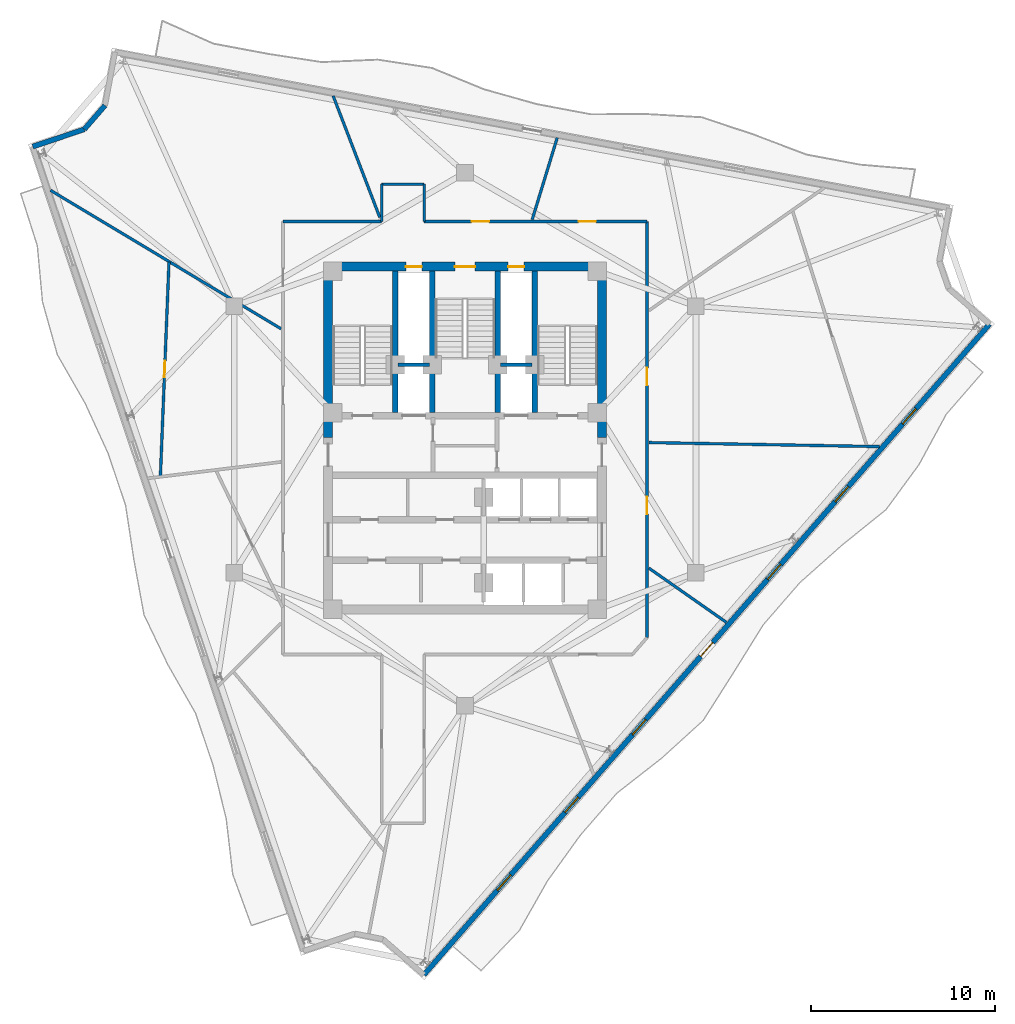
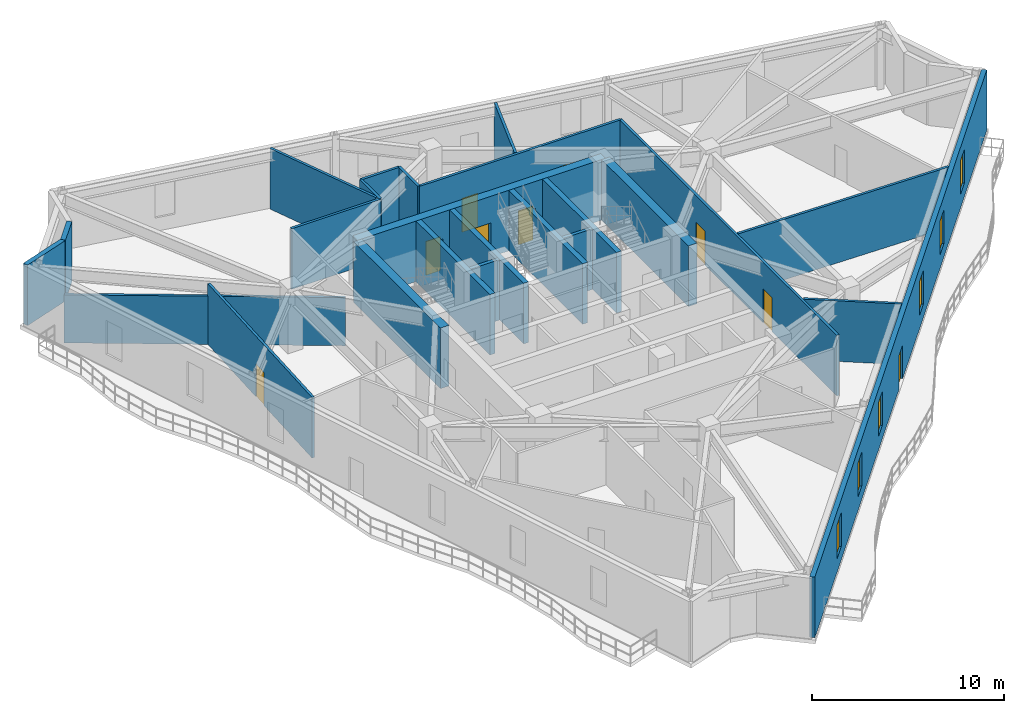
# One storey, part 6 of 10: 24 walls, 9 doors, 6 windows, 15 openings.
"""IFC4 building model written with IfcOpenShell, lengths in metres."""

from ifc_helpers import new_model, si_unit, direction, frame, frame_2d, origin, place, context, subcontext, project, spatial, rectangle, extrude, material, layer, layer_set, type_object, element, fill, save


model = new_model("IFC4")

# Units and contexts
model_context = context("Model", 3, precision=1e-05, world=origin(), true_north=direction((0.0, 1.0)))
body_context = subcontext(model_context, "Body", "Model", "MODEL_VIEW")
ifc_project = project(units=[si_unit("LENGTHUNIT", "METRE"), si_unit("AREAUNIT", "SQUARE_METRE"), si_unit("VOLUMEUNIT", "CUBIC_METRE"), si_unit("PLANEANGLEUNIT", "RADIAN"), si_unit("MASSUNIT", "GRAM", prefix="KILO")], contexts=[model_context])

# Site, building, storey
site_placement = place(None, origin())
site = spatial("IfcSite", under=ifc_project, at=site_placement, CompositionType="ELEMENT")
building_placement = place(site_placement, origin())
building = spatial("IfcBuilding", under=site, at=building_placement, Name="Apsidion Concourse Tower", CompositionType="ELEMENT")
storey_placement = place(building_placement, frame((0.0, 0.0, 265.5)))
storey = spatial("IfcBuildingStorey", under=building, at=storey_placement, Name="L62", CompositionType="ELEMENT", Elevation=265.5)

# Wall, openings, door, windows
ifc_material_1 = material(Name="Precast concrete C40/50", Category="concrete")
ifc_layer_1 = layer(ifc_material_1, 0.280029296875)
ifc_layer_set_1 = layer_set([ifc_layer_1], Name="Precast concrete C40/50")
wall_type_1 = type_object("IfcWallType", Name="WL-EXT-280", PredefinedType="STANDARD", material=ifc_layer_set_1)
wall_1_placement = place(storey_placement, frame((28.531494140625, 6.267578125, 0.0), z_axis=(0.0, 0.0, 1.0), x_axis=(-0.656055748756, -0.754712431674, 0.0)))
wall_1 = element("IfcWall", 1, at=wall_1_placement, inside=storey, type_object=wall_type_1, Name="L62 Precast Stone Facade Wall 05", PredefinedType="STANDARD", context=body_context, shape_type="SweptSolid", body=[
    extrude(rectangle(XDim=46.89697265625, YDim=0.280029296875, at=frame_2d((23.448486328125, 0.0))), origin(), (0.0, 0.0, 1.0), 3.85009765625),
])
opening_1_placement = place(wall_1_placement, frame((22.948486328125, 0.0, 0.0)))
opening_1 = element("IfcOpeningElement", 2, at=opening_1_placement, cuts=wall_1, Name="Opening D-T1R", PredefinedType="OPENING", context=body_context, shape_type="SweptSolid", body=[
    extrude(rectangle(XDim=1.0, YDim=2.14990234375, at=frame_2d((0.5, 1.074951171875))), frame((0.0, 0.14990234375, 0.0), z_axis=(0.0, -1.0, 0.0), x_axis=(1.0, 0.0, 0.0)), (0.0, 0.0, 1.0), 0.300048828125),
])
opening_2_placement = place(wall_1_placement, frame((6.0986328125, 0.0, 0.85009765625)))
opening_2 = element("IfcOpeningElement", 3, at=opening_2_placement, cuts=wall_1, Name="Opening WN-07", PredefinedType="OPENING", context=body_context, shape_type="SweptSolid", body=[
    extrude(rectangle(XDim=1.10009765625, YDim=2.14990234375, at=frame_2d((0.550048828125, 1.074951171875))), frame((0.0, 0.14990234375, 0.0), z_axis=(0.0, -1.0, 0.0), x_axis=(1.0, 0.0, 0.0)), (0.0, 0.0, 1.0), 0.300048828125),
])
opening_3_placement = place(wall_1_placement, frame((11.698486328125, 0.0, 0.85009765625)))
opening_3 = element("IfcOpeningElement", 4, at=opening_3_placement, cuts=wall_1, Name="Opening WN-07", PredefinedType="OPENING", context=body_context, shape_type="SweptSolid", body=[
    extrude(rectangle(XDim=1.10009765625, YDim=2.14990234375, at=frame_2d((0.550048828125, 1.074951171875))), frame((0.0, 0.14990234375, 0.0), z_axis=(0.0, -1.0, 0.0), x_axis=(1.0, 0.0, 0.0)), (0.0, 0.0, 1.0), 0.300048828125),
])
opening_4_placement = place(wall_1_placement, frame((17.298583984375, 0.0, 0.85009765625)))
opening_4 = element("IfcOpeningElement", 5, at=opening_4_placement, cuts=wall_1, Name="Opening WN-07", PredefinedType="OPENING", context=body_context, shape_type="SweptSolid", body=[
    extrude(rectangle(XDim=1.10009765625, YDim=2.14990234375, at=frame_2d((0.550048828125, 1.074951171875))), frame((0.0, 0.14990234375, 0.0), z_axis=(0.0, -1.0, 0.0), x_axis=(1.0, 0.0, 0.0)), (0.0, 0.0, 1.0), 0.300048828125),
])
opening_5_placement = place(wall_1_placement, frame((28.49853515625, 0.0, 0.85009765625)))
opening_5 = element("IfcOpeningElement", 6, at=opening_5_placement, cuts=wall_1, Name="Opening WN-07", PredefinedType="OPENING", context=body_context, shape_type="SweptSolid", body=[
    extrude(rectangle(XDim=1.10009765625, YDim=2.14990234375, at=frame_2d((0.550048828125, 1.074951171875))), frame((0.0, 0.14990234375, 0.0), z_axis=(0.0, -1.0, 0.0), x_axis=(1.0, 0.0, 0.0)), (0.0, 0.0, 1.0), 0.300048828125),
])
opening_6_placement = place(wall_1_placement, frame((34.0986328125, 0.0, 0.85009765625)))
opening_6 = element("IfcOpeningElement", 7, at=opening_6_placement, cuts=wall_1, Name="Opening WN-07", PredefinedType="OPENING", context=body_context, shape_type="SweptSolid", body=[
    extrude(rectangle(XDim=1.10009765625, YDim=2.14990234375, at=frame_2d((0.550048828125, 1.074951171875))), frame((0.0, 0.14990234375, 0.0), z_axis=(0.0, -1.0, 0.0), x_axis=(1.0, 0.0, 0.0)), (0.0, 0.0, 1.0), 0.300048828125),
])
opening_7_placement = place(wall_1_placement, frame((39.698486328125, 0.0, 0.85009765625)))
opening_7 = element("IfcOpeningElement", 8, at=opening_7_placement, cuts=wall_1, Name="Opening WN-07", PredefinedType="OPENING", context=body_context, shape_type="SweptSolid", body=[
    extrude(rectangle(XDim=1.10009765625, YDim=2.14990234375, at=frame_2d((0.550048828125, 1.074951171875))), frame((0.0, 0.14990234375, 0.0), z_axis=(0.0, -1.0, 0.0), x_axis=(1.0, 0.0, 0.0)), (0.0, 0.0, 1.0), 0.300048828125),
])
ifc_material_2 = material(Name="Anodised aluminium EN AW-6063 T6", Category="aluminium")
door_type_1 = type_object("IfcDoorType", Name="DR-TER-1022R", OperationType="SINGLE_SWING_RIGHT", PredefinedType="DOOR", material=ifc_material_2)
door_1_placement = place(opening_1_placement, origin())
door_1 = element("IfcDoor", 9, at=door_1_placement, inside=storey, type_object=door_type_1, Name="L62 Balcony Access Door 2", OperationType="SINGLE_SWING_RIGHT", OverallHeight=2.14990234375, OverallWidth=1.0, PredefinedType="DOOR", context=body_context, shape_type="SweptSolid", body=[
    extrude(rectangle(XDim=1.0, YDim=2.14990234375, at=frame_2d((0.5, 1.074951171875))), frame((0.0, 0.02490234375, 0.0), z_axis=(0.0, -1.0, 0.0), x_axis=(1.0, 0.0, 0.0)), (0.0, 0.0, 1.0), 0.050048828125),
])
fill(opening_1, door_1)
ifc_material_3 = material(Name="Insulated laminated low-E glass", Category="glass")
window_type = type_object("IfcWindowType", Name="WN-OFF-1123", PartitioningType="SINGLE_PANEL", PredefinedType="WINDOW", material=ifc_material_3)
window_1_placement = place(opening_2_placement, origin())
window_1 = element("IfcWindow", 10, at=window_1_placement, inside=storey, type_object=window_type, Name="L62 Punched Facade Window 5-01", OverallHeight=2.14990234375, OverallWidth=1.10009765625, PartitioningType="SINGLE_PANEL", PredefinedType="WINDOW", context=body_context, shape_type="SweptSolid", body=[
    extrude(rectangle(XDim=1.10009765625, YDim=2.14990234375, at=frame_2d((0.550048828125, 1.074951171875))), frame((0.0, 0.030029296875, 0.0), z_axis=(0.0, -1.0, 0.0), x_axis=(1.0, 0.0, 0.0)), (0.0, 0.0, 1.0), 0.06005859375),
])
fill(opening_2, window_1)
window_2_placement = place(opening_3_placement, origin())
window_2 = element("IfcWindow", 11, at=window_2_placement, inside=storey, type_object=window_type, Name="L62 Punched Facade Window 5-02", OverallHeight=2.14990234375, OverallWidth=1.10009765625, PartitioningType="SINGLE_PANEL", PredefinedType="WINDOW", context=body_context, shape_type="SweptSolid", body=[
    extrude(rectangle(XDim=1.10009765625, YDim=2.14990234375, at=frame_2d((0.550048828125, 1.074951171875))), frame((0.0, 0.030029296875, 0.0), z_axis=(0.0, -1.0, 0.0), x_axis=(1.0, 0.0, 0.0)), (0.0, 0.0, 1.0), 0.06005859375),
])
fill(opening_3, window_2)
window_3_placement = place(opening_4_placement, origin())
window_3 = element("IfcWindow", 12, at=window_3_placement, inside=storey, type_object=window_type, Name="L62 Punched Facade Window 5-03", OverallHeight=2.14990234375, OverallWidth=1.10009765625, PartitioningType="SINGLE_PANEL", PredefinedType="WINDOW", context=body_context, shape_type="SweptSolid", body=[
    extrude(rectangle(XDim=1.10009765625, YDim=2.14990234375, at=frame_2d((0.550048828125, 1.074951171875))), frame((0.0, 0.030029296875, 0.0), z_axis=(0.0, -1.0, 0.0), x_axis=(1.0, 0.0, 0.0)), (0.0, 0.0, 1.0), 0.06005859375),
])
fill(opening_4, window_3)
window_4_placement = place(opening_5_placement, origin())
window_4 = element("IfcWindow", 13, at=window_4_placement, inside=storey, type_object=window_type, Name="L62 Punched Facade Window 5-05", OverallHeight=2.14990234375, OverallWidth=1.10009765625, PartitioningType="SINGLE_PANEL", PredefinedType="WINDOW", context=body_context, shape_type="SweptSolid", body=[
    extrude(rectangle(XDim=1.10009765625, YDim=2.14990234375, at=frame_2d((0.550048828125, 1.074951171875))), frame((0.0, 0.030029296875, 0.0), z_axis=(0.0, -1.0, 0.0), x_axis=(1.0, 0.0, 0.0)), (0.0, 0.0, 1.0), 0.06005859375),
])
fill(opening_5, window_4)
window_5_placement = place(opening_6_placement, origin())
window_5 = element("IfcWindow", 14, at=window_5_placement, inside=storey, type_object=window_type, Name="L62 Punched Facade Window 5-06", OverallHeight=2.14990234375, OverallWidth=1.10009765625, PartitioningType="SINGLE_PANEL", PredefinedType="WINDOW", context=body_context, shape_type="SweptSolid", body=[
    extrude(rectangle(XDim=1.10009765625, YDim=2.14990234375, at=frame_2d((0.550048828125, 1.074951171875))), frame((0.0, 0.030029296875, 0.0), z_axis=(0.0, -1.0, 0.0), x_axis=(1.0, 0.0, 0.0)), (0.0, 0.0, 1.0), 0.06005859375),
])
fill(opening_6, window_5)
window_6_placement = place(opening_7_placement, origin())
window_6 = element("IfcWindow", 15, at=window_6_placement, inside=storey, type_object=window_type, Name="L62 Punched Facade Window 5-07", OverallHeight=2.14990234375, OverallWidth=1.10009765625, PartitioningType="SINGLE_PANEL", PredefinedType="WINDOW", context=body_context, shape_type="SweptSolid", body=[
    extrude(rectangle(XDim=1.10009765625, YDim=2.14990234375, at=frame_2d((0.550048828125, 1.074951171875))), frame((0.0, 0.030029296875, 0.0), z_axis=(0.0, -1.0, 0.0), x_axis=(1.0, 0.0, 0.0)), (0.0, 0.0, 1.0), 0.06005859375),
])
fill(opening_7, window_6)

# Walls
wall_2_placement = place(storey_placement, frame((-23.511474609375, 15.92431640625, 0.0), z_axis=(0.0, 0.0, 1.0), x_axis=(0.9478040536, 0.31885337693, 0.0)))
element("IfcWall", 16, at=wall_2_placement, inside=storey, type_object=wall_type_1, Name="L62 Precast Stone Facade Wall 10", PredefinedType="STANDARD", context=body_context, shape_type="SweptSolid", body=[
    extrude(rectangle(XDim=2.95556640625, YDim=0.280029296875, at=frame_2d((1.477783203125, 0.0))), origin(), (0.0, 0.0, 1.0), 3.85009765625),
])
wall_3_placement = place(storey_placement, frame((-20.710205078125, 16.86669921875, 0.0), z_axis=(0.0, 0.0, 1.0), x_axis=(0.656062411204, 0.754706640096, 0.0)))
element("IfcWall", 17, at=wall_3_placement, inside=storey, type_object=wall_type_1, Name="L62 Precast Stone Facade Wall 11", PredefinedType="STANDARD", context=body_context, shape_type="SweptSolid", body=[
    extrude(rectangle(XDim=1.715087890625, YDim=0.280029296875, at=frame_2d((0.857421875, 0.0))), origin(), (0.0, 0.0, 1.0), 3.85009765625),
])
ifc_material_4 = material(Name="Gypsum plasterboard partition")
ifc_layer_2 = layer(ifc_material_4, 0.14990234375)
ifc_layer_set_2 = layer_set([ifc_layer_2], Name="Gypsum plasterboard partition")
wall_type_2 = type_object("IfcWallType", Name="WL-INT-PAR-150", PredefinedType="PARTITIONING", material=ifc_layer_set_2)
wall_4_placement = place(storey_placement, frame((-9.89990234375, 11.85009765625, 0.0), z_axis=(0.0, 0.0, 1.0), x_axis=(1.0, 0.0, 0.0)))
element("IfcWall", 18, at=wall_4_placement, inside=storey, type_object=wall_type_2, Name="L62 Interior Partition WL-L62-CORR-03", PredefinedType="PARTITIONING", context=body_context, shape_type="SweptSolid", body=[
    extrude(rectangle(XDim=5.369873046875, YDim=0.14990234375, at=frame_2d((2.68505859375, 0.0))), origin(), (0.0, 0.0, 1.0), 3.85009765625),
])
wall_5_placement = place(storey_placement, frame((-4.530029296875, 11.85009765625, 0.0), z_axis=(0.0, 0.0, 1.0), x_axis=(0.0, 1.0, 0.0)))
element("IfcWall", 19, at=wall_5_placement, inside=storey, type_object=wall_type_2, Name="L62 Interior Partition WL-L62-CORR-04", PredefinedType="PARTITIONING", context=body_context, shape_type="SweptSolid", body=[
    extrude(rectangle(XDim=2.02978515625, YDim=0.14990234375, at=frame_2d((1.014892578125, 0.0))), origin(), (0.0, 0.0, 1.0), 3.85009765625),
])
wall_6_placement = place(storey_placement, frame((-4.530029296875, 13.8798828125, 0.0), z_axis=(0.0, 0.0, 1.0), x_axis=(1.0, 0.0, 0.0)))
element("IfcWall", 20, at=wall_6_placement, inside=storey, type_object=wall_type_2, Name="L62 Interior Partition WL-L62-CORR-05", PredefinedType="PARTITIONING", context=body_context, shape_type="SweptSolid", body=[
    extrude(rectangle(XDim=2.31005859375, YDim=0.14990234375, at=frame_2d((1.155029296875, 0.0))), origin(), (0.0, 0.0, 1.0), 3.85009765625),
])
wall_7_placement = place(storey_placement, frame((-2.219970703125, 13.8798828125, 0.0), z_axis=(0.0, 0.0, 1.0), x_axis=(0.0, -1.0, 0.0)))
element("IfcWall", 21, at=wall_7_placement, inside=storey, type_object=wall_type_2, Name="L62 Interior Partition WL-L62-CORR-06", PredefinedType="PARTITIONING", context=body_context, shape_type="SweptSolid", body=[
    extrude(rectangle(XDim=2.02978515625, YDim=0.14990234375, at=frame_2d((1.014892578125, 0.0))), origin(), (0.0, 0.0, 1.0), 3.85009765625),
])

# Wall, openings, doors
wall_8_placement = place(storey_placement, frame((-2.219970703125, 11.85009765625, 0.0), z_axis=(0.0, 0.0, 1.0), x_axis=(1.0, 0.0, 0.0)))
wall_8 = element("IfcWall", 22, at=wall_8_placement, inside=storey, type_object=wall_type_2, Name="L62 Interior Partition WL-L62-CORR-07", PredefinedType="PARTITIONING", context=body_context, shape_type="SweptSolid", body=[
    extrude(rectangle(XDim=12.119873046875, YDim=0.14990234375, at=frame_2d((6.06005859375, 0.0))), origin(), (0.0, 0.0, 1.0), 3.85009765625),
])
opening_8_placement = place(wall_8_placement, frame((8.393310546875, 0.0, 0.0)))
opening_8 = element("IfcOpeningElement", 23, at=opening_8_placement, cuts=wall_8, Name="Opening D-01L", PredefinedType="OPENING", context=body_context, shape_type="SweptSolid", body=[
    extrude(rectangle(XDim=0.949951171875, YDim=2.14990234375, at=frame_2d((0.47509765625, 1.074951171875))), frame((0.0, 0.0849609375, 0.0), z_axis=(0.0, -1.0, 0.0), x_axis=(1.0, 0.0, 0.0)), (0.0, 0.0, 1.0), 0.169921875),
])
opening_9_placement = place(wall_8_placement, frame((2.585205078125, 0.0, 0.0)))
opening_9 = element("IfcOpeningElement", 24, at=opening_9_placement, cuts=wall_8, Name="Opening D-01R", PredefinedType="OPENING", context=body_context, shape_type="SweptSolid", body=[
    extrude(rectangle(XDim=0.949951171875, YDim=2.14990234375, at=frame_2d((0.47509765625, 1.074951171875))), frame((0.0, 0.0849609375, 0.0), z_axis=(0.0, -1.0, 0.0), x_axis=(1.0, 0.0, 0.0)), (0.0, 0.0, 1.0), 0.169921875),
])
ifc_material_5 = material(Name="Brushed stainless steel 316", Category="steel")
door_type_2 = type_object("IfcDoorType", Name="DR-INT-D01L", OperationType="SINGLE_SWING_LEFT", PredefinedType="DOOR", material=ifc_material_5)
door_2_placement = place(opening_8_placement, origin())
door_2 = element("IfcDoor", 25, at=door_2_placement, inside=storey, type_object=door_type_2, Name="L62 Corridor Entry Door 07", OperationType="SINGLE_SWING_LEFT", OverallHeight=2.14990234375, OverallWidth=0.949951171875, PredefinedType="DOOR", context=body_context, shape_type="SweptSolid", body=[
    extrude(rectangle(XDim=0.949951171875, YDim=2.14990234375, at=frame_2d((0.47509765625, 1.074951171875))), frame((0.0, 0.02490234375, 0.0), z_axis=(0.0, -1.0, 0.0), x_axis=(1.0, 0.0, 0.0)), (0.0, 0.0, 1.0), 0.050048828125),
])
fill(opening_8, door_2)
door_type_3 = type_object("IfcDoorType", Name="DR-INT-D01R", OperationType="SINGLE_SWING_RIGHT", PredefinedType="DOOR", material=ifc_material_5)
door_3_placement = place(opening_9_placement, origin())
door_3 = element("IfcDoor", 26, at=door_3_placement, inside=storey, type_object=door_type_3, Name="L62 Corridor Entry Door 08", OperationType="SINGLE_SWING_RIGHT", OverallHeight=2.14990234375, OverallWidth=0.949951171875, PredefinedType="DOOR", context=body_context, shape_type="SweptSolid", body=[
    extrude(rectangle(XDim=0.949951171875, YDim=2.14990234375, at=frame_2d((0.47509765625, 1.074951171875))), frame((0.0, 0.02490234375, 0.0), z_axis=(0.0, -1.0, 0.0), x_axis=(1.0, 0.0, 0.0)), (0.0, 0.0, 1.0), 0.050048828125),
])
fill(opening_9, door_3)

wall_9_placement = place(storey_placement, frame((9.89990234375, 11.85009765625, 0.0), z_axis=(0.0, 0.0, 1.0), x_axis=(0.0, -1.0, 0.0)))
wall_9 = element("IfcWall", 27, at=wall_9_placement, inside=storey, type_object=wall_type_2, Name="L62 Interior Partition WL-L62-CORR-08", PredefinedType="PARTITIONING", context=body_context, shape_type="SweptSolid", body=[
    extrude(rectangle(XDim=22.633544921875, YDim=0.14990234375, at=frame_2d((11.31689453125, 0.0))), origin(), (0.0, 0.0, 1.0), 3.85009765625),
])
opening_10_placement = place(wall_9_placement, frame((14.96337890625, 0.0, 0.0)))
opening_10 = element("IfcOpeningElement", 28, at=opening_10_placement, cuts=wall_9, Name="Opening D-01L", PredefinedType="OPENING", context=body_context, shape_type="SweptSolid", body=[
    extrude(rectangle(XDim=0.949951171875, YDim=2.14990234375, at=frame_2d((0.47509765625, 1.074951171875))), frame((0.0, 0.0849609375, 0.0), z_axis=(0.0, -1.0, 0.0), x_axis=(1.0, 0.0, 0.0)), (0.0, 0.0, 1.0), 0.169921875),
])
opening_11_placement = place(wall_9_placement, frame((7.962890625, 0.0, 0.0)))
opening_11 = element("IfcOpeningElement", 29, at=opening_11_placement, cuts=wall_9, Name="Opening D-01R", PredefinedType="OPENING", context=body_context, shape_type="SweptSolid", body=[
    extrude(rectangle(XDim=0.949951171875, YDim=2.14990234375, at=frame_2d((0.47509765625, 1.074951171875))), frame((0.0, 0.0849609375, 0.0), z_axis=(0.0, -1.0, 0.0), x_axis=(1.0, 0.0, 0.0)), (0.0, 0.0, 1.0), 0.169921875),
])
door_4_placement = place(opening_10_placement, origin())
door_4 = element("IfcDoor", 30, at=door_4_placement, inside=storey, type_object=door_type_2, Name="L62 Corridor Entry Door 05", OperationType="SINGLE_SWING_LEFT", OverallHeight=2.14990234375, OverallWidth=0.949951171875, PredefinedType="DOOR", context=body_context, shape_type="SweptSolid", body=[
    extrude(rectangle(XDim=0.949951171875, YDim=2.14990234375, at=frame_2d((0.47509765625, 1.074951171875))), frame((0.0, 0.02490234375, 0.0), z_axis=(0.0, -1.0, 0.0), x_axis=(1.0, 0.0, 0.0)), (0.0, 0.0, 1.0), 0.050048828125),
])
fill(opening_10, door_4)
door_5_placement = place(opening_11_placement, origin())
door_5 = element("IfcDoor", 31, at=door_5_placement, inside=storey, type_object=door_type_3, Name="L62 Corridor Entry Door 06", OperationType="SINGLE_SWING_RIGHT", OverallHeight=2.14990234375, OverallWidth=0.949951171875, PredefinedType="DOOR", context=body_context, shape_type="SweptSolid", body=[
    extrude(rectangle(XDim=0.949951171875, YDim=2.14990234375, at=frame_2d((0.47509765625, 1.074951171875))), frame((0.0, 0.02490234375, 0.0), z_axis=(0.0, -1.0, 0.0), x_axis=(1.0, 0.0, 0.0)), (0.0, 0.0, 1.0), 0.050048828125),
])
fill(opening_11, door_5)

# Walls
wall_10_placement = place(storey_placement, frame((3.655029296875, 11.955078125, 0.0), z_axis=(0.0, 0.0, 1.0), x_axis=(0.29239435335, 0.95629783129, 0.0)))
element("IfcWall", 32, at=wall_10_placement, inside=storey, type_object=wall_type_2, Name="L62 Interior Partition WL-L62-RAD-02-1", PredefinedType="PARTITIONING", context=body_context, shape_type="SweptSolid", body=[
    extrude(rectangle(XDim=4.65673828125, YDim=0.14990234375, at=frame_2d((2.328369140625, 0.0))), origin(), (0.0, 0.0, 1.0), 3.85009765625),
])
wall_11_placement = place(storey_placement, frame((-4.635009765625, 12.07470703125, 0.0), z_axis=(0.0, 0.0, 1.0), x_axis=(-0.358360123147, 0.933583430732, 0.0)))
element("IfcWall", 33, at=wall_11_placement, inside=storey, type_object=wall_type_2, Name="L62 Interior Partition WL-L62-RAD-03-1", PredefinedType="PARTITIONING", context=body_context, shape_type="SweptSolid", body=[
    extrude(rectangle(XDim=7.08447265625, YDim=0.14990234375, at=frame_2d((3.542236328125, 0.0))), origin(), (0.0, 0.0, 1.0), 3.85009765625),
])
wall_12_placement = place(storey_placement, frame((-10.0048828125, 6.01171875, 0.0), z_axis=(0.0, 0.0, 1.0), x_axis=(-0.857171850512, 0.515030502679, 0.0)))
element("IfcWall", 34, at=wall_12_placement, inside=storey, type_object=wall_type_2, Name="L62 Interior Partition WL-L62-RAD-04-1", PredefinedType="PARTITIONING", context=body_context, shape_type="SweptSolid", body=[
    extrude(rectangle(XDim=14.6337890625, YDim=0.14990234375, at=frame_2d((7.31689453125, 0.0))), origin(), (0.0, 0.0, 1.0), 3.06005859375),
])
wall_13_placement = place(storey_placement, frame((10.0048828125, -7.005615234375, 0.0), z_axis=(0.0, 0.0, 1.0), x_axis=(0.819173984323, -0.57354510146, 0.0)))
element("IfcWall", 35, at=wall_13_placement, inside=storey, type_object=wall_type_2, Name="L62 Interior Partition WL-L62-RAD-09-1", PredefinedType="PARTITIONING", context=body_context, shape_type="SweptSolid", body=[
    extrude(rectangle(XDim=5.147705078125, YDim=0.14990234375, at=frame_2d((2.57373046875, 0.0))), origin(), (0.0, 0.0, 1.0), 3.85009765625),
])
wall_14_placement = place(storey_placement, frame((10.0048828125, -0.174560546875, 0.0), z_axis=(0.0, 0.0, 1.0), x_axis=(0.999847666642, -0.017454039966, 0.0)))
element("IfcWall", 36, at=wall_14_placement, inside=storey, type_object=wall_type_2, Name="L62 Interior Partition WL-L62-RAD-10-1", PredefinedType="PARTITIONING", context=body_context, shape_type="SweptSolid", body=[
    extrude(rectangle(XDim=12.532958984375, YDim=0.14990234375, at=frame_2d((6.2666015625, 0.0))), origin(), (0.0, 0.0, 1.0), 3.85009765625),
])

# Wall, opening, door
wall_15_placement = place(storey_placement, frame((-16.102783203125, 9.646484375, 0.0), z_axis=(0.0, 0.0, 1.0), x_axis=(-0.040078364855, -0.999196539561, 0.0)))
wall_15 = element("IfcWall", 37, at=wall_15_placement, inside=storey, type_object=wall_type_2, Name="L62 Interior Partition WL-L62-CHD-OFS09", PredefinedType="PARTITIONING", context=body_context, shape_type="SweptSolid", body=[
    extrude(rectangle(XDim=11.665283203125, YDim=0.14990234375, at=frame_2d((5.83251953125, 0.0))), origin(), (0.0, 0.0, 1.0), 3.85009765625),
])
opening_12_placement = place(wall_15_placement, frame((5.382568359375, 0.0, 0.0)))
opening_12 = element("IfcOpeningElement", 38, at=opening_12_placement, cuts=wall_15, Name="Opening D-02R", PredefinedType="OPENING", context=body_context, shape_type="SweptSolid", body=[
    extrude(rectangle(XDim=0.89990234375, YDim=2.10009765625, at=frame_2d((0.449951171875, 1.050048828125))), frame((0.0, 0.0849609375, 0.0), z_axis=(0.0, -1.0, 0.0), x_axis=(1.0, 0.0, 0.0)), (0.0, 0.0, 1.0), 0.169921875),
])
door_type_4 = type_object("IfcDoorType", Name="DR-INT-D02R", OperationType="SINGLE_SWING_RIGHT", PredefinedType="DOOR", material=ifc_material_2)
door_6_placement = place(opening_12_placement, origin())
door_6 = element("IfcDoor", 39, at=door_6_placement, inside=storey, type_object=door_type_4, Name="L62 Suite Connecting Door OFS09", OperationType="SINGLE_SWING_RIGHT", OverallHeight=2.10009765625, OverallWidth=0.89990234375, PredefinedType="DOOR", context=body_context, shape_type="SweptSolid", body=[
    extrude(rectangle(XDim=0.89990234375, YDim=2.10009765625, at=frame_2d((0.449951171875, 1.050048828125))), frame((0.0, 0.02490234375, 0.0), z_axis=(0.0, -1.0, 0.0), x_axis=(1.0, 0.0, 0.0)), (0.0, 0.0, 1.0), 0.050048828125),
])
fill(opening_12, door_6)

# Walls
ifc_layer_3 = layer(ifc_material_4, 0.199951171875)
ifc_layer_set_3 = layer_set([ifc_layer_3], Name="Gypsum plasterboard partition")
wall_type_3 = type_object("IfcWallType", Name="WL-INT-PAR-200", PredefinedType="PARTITIONING", material=ifc_layer_set_3)
for number, where, z_axis, x_axis, name in (
    (40, (-3.64990234375, 4.050048828125, 0.0), (0.0, 0.0, 1.0), (1.0, 0.0, 0.0), "L62 Interior Partition WL-L62-FF1-N"),
    (41, (1.919921875, 4.050048828125, 0.0), (0.0, 0.0, 1.0), (1.0, 0.0, 0.0), "L62 Interior Partition WL-L62-FF2-N"),
):
    element("IfcWall", number, at=place(storey_placement, frame(where, z_axis=z_axis, x_axis=x_axis)), inside=storey, type_object=wall_type_3, Name=name, PredefinedType="PARTITIONING", context=body_context, shape_type="SweptSolid", body=[
        extrude(rectangle(XDim=1.72998046875, YDim=0.199951171875, at=frame_2d((0.864990234375, 0.0))), origin(), (0.0, 0.0, 1.0), 3.85009765625),
    ])
ifc_material_6 = material(Name="Concrete C50/60", Category="concrete")
ifc_layer_4 = layer(ifc_material_6, 0.300048828125)
ifc_layer_set_4 = layer_set([ifc_layer_4], Name="Concrete C50/60")
wall_type_4 = type_object("IfcWallType", Name="WL-SH-300", PredefinedType="SHEAR", material=ifc_layer_set_4)
for number, where, z_axis, x_axis, name in (
    (42, (-3.800048828125, 1.449951171875, 0.0), (0.0, 0.0, 1.0), (0.0, 1.0, 0.0), "L62 Central Core Shear Wall V1"),
    (43, (-1.77490234375, 1.449951171875, 0.0), (0.0, 0.0, 1.0), (0.0, 1.0, 0.0), "L62 Central Core Shear Wall V2"),
    (44, (1.77490234375, 1.449951171875, 0.0), (0.0, 0.0, 1.0), (0.0, 1.0, 0.0), "L62 Central Core Shear Wall V3"),
    (45, (3.800048828125, 1.449951171875, 0.0), (0.0, 0.0, 1.0), (0.0, 1.0, 0.0), "L62 Central Core Shear Wall V4"),
):
    element("IfcWall", number, at=place(storey_placement, frame(where, z_axis=z_axis, x_axis=x_axis)), inside=storey, type_object=wall_type_4, Name=name, PredefinedType="SHEAR", context=body_context, shape_type="SweptSolid", body=[
        extrude(rectangle(XDim=7.699951171875, YDim=0.300048828125, at=frame_2d((3.85009765625, 0.0))), origin(), (0.0, 0.0, 1.0), 3.85009765625),
    ])

# Wall, openings, doors
ifc_layer_5 = layer(ifc_material_6, 0.5)
ifc_layer_set_5 = layer_set([ifc_layer_5], Name="Concrete C50/60")
wall_type_5 = type_object("IfcWallType", Name="WL-SH-500", PredefinedType="SHEAR", material=ifc_layer_set_5)
wall_16_placement = place(storey_placement, frame((-7.449951171875, 9.39990234375, 0.0), z_axis=(0.0, 0.0, 1.0), x_axis=(1.0, 0.0, 0.0)))
wall_16 = element("IfcWall", 46, at=wall_16_placement, inside=storey, type_object=wall_type_5, Name="L62 Central Core Shear Wall N", PredefinedType="SHEAR", context=body_context, shape_type="SweptSolid", body=[
    extrude(rectangle(XDim=14.89990234375, YDim=0.5, at=frame_2d((7.449951171875, 0.0))), origin(), (0.0, 0.0, 1.0), 3.85009765625),
])
opening_13_placement = place(wall_16_placement, frame((6.89990234375, 0.0, 0.0)))
opening_13 = element("IfcOpeningElement", 47, at=opening_13_placement, cuts=wall_16, Name="Opening D-STL", PredefinedType="OPENING", context=body_context, shape_type="SweptSolid", body=[
    extrude(rectangle(XDim=1.10009765625, YDim=2.14990234375, at=frame_2d((0.550048828125, 1.074951171875))), frame((0.0, 0.260009765625, 0.0), z_axis=(0.0, -1.0, 0.0), x_axis=(1.0, 0.0, 0.0)), (0.0, 0.0, 1.0), 0.52001953125),
])
opening_14_placement = place(wall_16_placement, frame((4.22998046875, 0.0, 0.0)))
opening_14 = element("IfcOpeningElement", 48, at=opening_14_placement, cuts=wall_16, Name="Opening D-05L", PredefinedType="OPENING", context=body_context, shape_type="SweptSolid", body=[
    extrude(rectangle(XDim=0.8798828125, YDim=2.14990234375, at=frame_2d((0.43994140625, 1.074951171875))), frame((0.0, 0.260009765625, 0.0), z_axis=(0.0, -1.0, 0.0), x_axis=(1.0, 0.0, 0.0)), (0.0, 0.0, 1.0), 0.52001953125),
])
opening_15_placement = place(wall_16_placement, frame((9.7900390625, 0.0, 0.0)))
opening_15 = element("IfcOpeningElement", 49, at=opening_15_placement, cuts=wall_16, Name="Opening D-05R", PredefinedType="OPENING", context=body_context, shape_type="SweptSolid", body=[
    extrude(rectangle(XDim=0.8798828125, YDim=2.14990234375, at=frame_2d((0.43994140625, 1.074951171875))), frame((0.0, 0.260009765625, 0.0), z_axis=(0.0, -1.0, 0.0), x_axis=(1.0, 0.0, 0.0)), (0.0, 0.0, 1.0), 0.52001953125),
])
door_type_5 = type_object("IfcDoorType", Name="DR-INT-D05L", OperationType="SINGLE_SWING_LEFT", PredefinedType="DOOR", material=ifc_material_5)
door_7_placement = place(opening_14_placement, origin())
door_7 = element("IfcDoor", 50, at=door_7_placement, inside=storey, type_object=door_type_5, Name="L62 Electrical Riser Shaft Access Door", OperationType="SINGLE_SWING_LEFT", OverallHeight=2.14990234375, OverallWidth=0.8798828125, PredefinedType="DOOR", context=body_context, shape_type="SweptSolid", body=[
    extrude(rectangle(XDim=0.8798828125, YDim=2.14990234375, at=frame_2d((0.43994140625, 1.074951171875))), frame((0.0, 0.02490234375, 0.0), z_axis=(0.0, -1.0, 0.0), x_axis=(1.0, 0.0, 0.0)), (0.0, 0.0, 1.0), 0.050048828125),
])
fill(opening_14, door_7)
door_type_6 = type_object("IfcDoorType", Name="DR-INT-D05R", OperationType="SINGLE_SWING_RIGHT", PredefinedType="DOOR", material=ifc_material_5)
door_8_placement = place(opening_15_placement, origin())
door_8 = element("IfcDoor", 51, at=door_8_placement, inside=storey, type_object=door_type_6, Name="L62 Mechanical Riser Shaft Access Door", OperationType="SINGLE_SWING_RIGHT", OverallHeight=2.14990234375, OverallWidth=0.8798828125, PredefinedType="DOOR", context=body_context, shape_type="SweptSolid", body=[
    extrude(rectangle(XDim=0.8798828125, YDim=2.14990234375, at=frame_2d((0.43994140625, 1.074951171875))), frame((0.0, 0.02490234375, 0.0), z_axis=(0.0, -1.0, 0.0), x_axis=(1.0, 0.0, 0.0)), (0.0, 0.0, 1.0), 0.050048828125),
])
fill(opening_15, door_8)
door_type_7 = type_object("IfcDoorType", Name="DR-INT-ST1L", OperationType="SINGLE_SWING_LEFT", PredefinedType="DOOR", material=ifc_material_5)
door_9_placement = place(opening_13_placement, origin())
door_9 = element("IfcDoor", 52, at=door_9_placement, inside=storey, type_object=door_type_7, Name="L62 Core Exit Stair ST3 Door", OperationType="SINGLE_SWING_LEFT", OverallHeight=2.14990234375, OverallWidth=1.10009765625, PredefinedType="DOOR", context=body_context, shape_type="SweptSolid", body=[
    extrude(rectangle(XDim=1.10009765625, YDim=2.14990234375, at=frame_2d((0.550048828125, 1.074951171875))), frame((0.0, 0.02490234375, 0.0), z_axis=(0.0, -1.0, 0.0), x_axis=(1.0, 0.0, 0.0)), (0.0, 0.0, 1.0), 0.050048828125),
])
fill(opening_13, door_9)

# Walls
for number, where, z_axis, x_axis, name in (
    (53, (-7.449951171875, 0.10009765625, 0.0), (0.0, 0.0, 1.0), (0.0, 1.0, 0.0), "L62 Central Core Shear Wall WN"),
    (54, (7.449951171875, 0.10009765625, 0.0), (0.0, 0.0, 1.0), (0.0, 1.0, 0.0), "L62 Central Core Shear Wall EN"),
):
    element("IfcWall", number, at=place(storey_placement, frame(where, z_axis=z_axis, x_axis=x_axis)), inside=storey, type_object=wall_type_5, Name=name, PredefinedType="SHEAR", context=body_context, shape_type="SweptSolid", body=[
        extrude(rectangle(XDim=9.0498046875, YDim=0.5, at=frame_2d((4.52490234375, 0.0))), origin(), (0.0, 0.0, 1.0), 3.85009765625),
    ])

save(model, "model.ifc")
